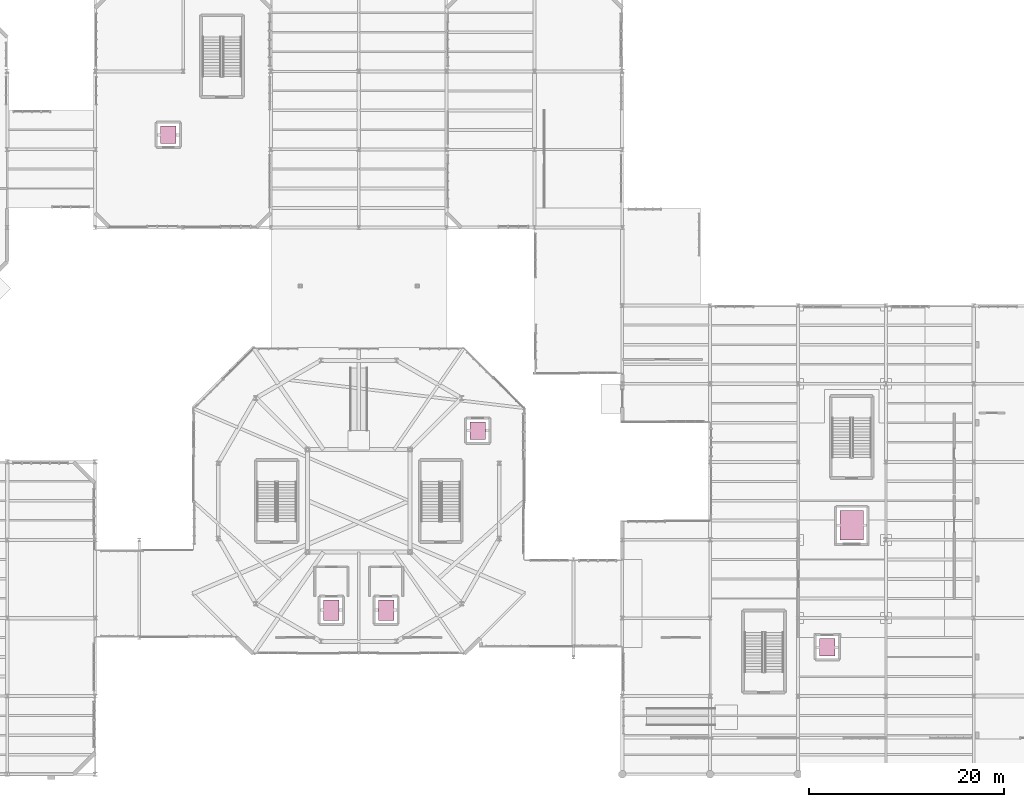
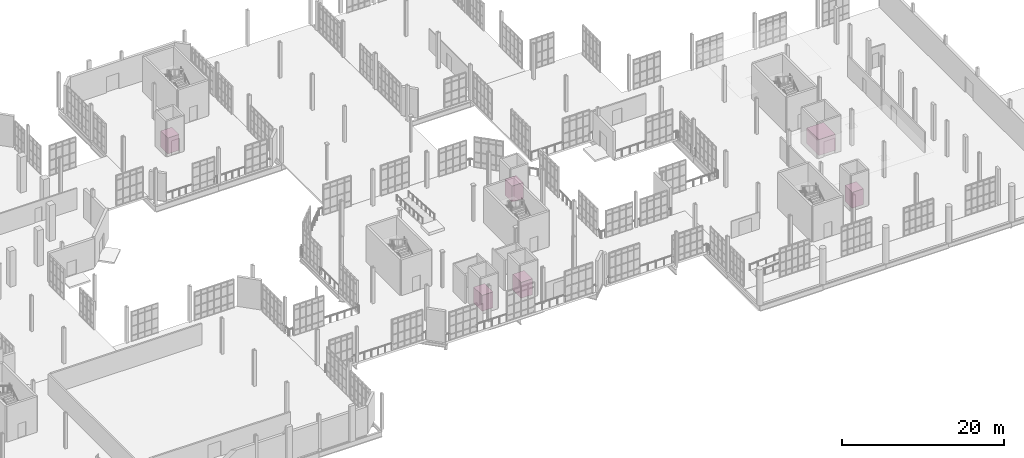
# One storey, part 189 of 189: 6 transport elements.
"""IFC4 building model written with IfcOpenShell, lengths in metres."""

from ifc_helpers import new_model, si_unit, direction, origin, place, context, subcontext, project, spatial, polyline, outline, extrude, material, type_object, element, save


model = new_model("IFC4")

# Units and contexts
model_context = context("Model", 3, precision=1e-05, world=origin(), true_north=direction((0.0, 1.0)))
body_context = subcontext(model_context, "Body", "Model", "MODEL_VIEW")
ifc_project = project(units=[si_unit("LENGTHUNIT", "METRE"), si_unit("AREAUNIT", "SQUARE_METRE"), si_unit("VOLUMEUNIT", "CUBIC_METRE"), si_unit("PLANEANGLEUNIT", "RADIAN"), si_unit("MASSUNIT", "GRAM", prefix="KILO"), si_unit("THERMODYNAMICTEMPERATUREUNIT", "KELVIN"), si_unit("POWERUNIT", "WATT")], contexts=[model_context])

# Site, building, storey
site_placement = place(None, origin())
site = spatial("IfcSite", under=ifc_project, at=site_placement, CompositionType="ELEMENT")
building_placement = place(site_placement, origin())
building = spatial("IfcBuilding", under=site, at=building_placement, Name="Zelmaris Science Centre", CompositionType="ELEMENT")
storey_placement = place(building_placement, origin())
storey = spatial("IfcBuildingStorey", under=building, at=storey_placement, Name="L00", CompositionType="ELEMENT", Elevation=0.0)

# Transport elements
ifc_material = material(Name="Steel ASTM A36", Category="steel")
transport_element_type_1 = type_object("IfcTransportElementType", Name="Elevator LF-FF 1600x2100", PredefinedType="ELEVATOR", material=ifc_material)
transport_element_1_placement = place(storey_placement, origin())
element("IfcTransportElement", 1, at=transport_element_1_placement, inside=storey, type_object=transport_element_type_1, Name="Firefighting Lift FL-01", PredefinedType="ELEVATOR", context=body_context, shape_type="SweptSolid", body=[
    extrude(outline(polyline([(77.39990234375, 23.75), (79.0, 23.75), (79.0, 25.85009765625), (77.39990234375, 25.85009765625), (77.39990234375, 23.75)])), origin(), (0.0, 0.0, 1.0), 2.39990234375),
])
transport_element_2_placement = place(storey_placement, origin())
element("IfcTransportElement", 2, at=transport_element_2_placement, inside=storey, type_object=transport_element_type_1, Name="Firefighting Lift FL-02", PredefinedType="ELEVATOR", context=body_context, shape_type="SweptSolid", body=[
    extrude(outline(polyline([(83.0, 23.75), (84.60009765625, 23.75), (84.60009765625, 25.85009765625), (83.0, 25.85009765625), (83.0, 23.75)])), origin(), (0.0, 0.0, 1.0), 2.39990234375),
])
transport_element_type_2 = type_object("IfcTransportElementType", Name="Elevator LF-GDS 2400x3000", PredefinedType="ELEVATOR", material=ifc_material)
transport_element_3_placement = place(storey_placement, origin())
element("IfcTransportElement", 3, at=transport_element_3_placement, inside=storey, type_object=transport_element_type_2, Name="Exhibit Freight Lift GL-01", PredefinedType="ELEVATOR", context=body_context, shape_type="SweptSolid", body=[
    extrude(outline(polyline([(130.300048828125, 32.0), (132.699951171875, 32.0), (132.699951171875, 35.0), (130.300048828125, 35.0), (130.300048828125, 32.0)])), origin(), (0.0, 0.0, 1.0), 2.39990234375),
])
transport_element_type_3 = type_object("IfcTransportElementType", Name="Elevator LF-PAX 1600x1800", PredefinedType="ELEVATOR", material=ifc_material)
transport_element_4_placement = place(storey_placement, origin())
element("IfcTransportElement", 4, at=transport_element_4_placement, inside=storey, type_object=transport_element_type_3, Name="Passenger Lift LP-01", PredefinedType="ELEVATOR", context=body_context, shape_type="SweptSolid", body=[
    extrude(outline(polyline([(92.39990234375, 42.300048828125), (94.0, 42.300048828125), (94.0, 44.10009765625), (92.39990234375, 44.10009765625), (92.39990234375, 42.300048828125)])), origin(), (0.0, 0.0, 1.0), 2.39990234375),
])
transport_element_5_placement = place(storey_placement, origin())
element("IfcTransportElement", 5, at=transport_element_5_placement, inside=storey, type_object=transport_element_type_3, Name="Passenger Lift LP-02", PredefinedType="ELEVATOR", context=body_context, shape_type="SweptSolid", body=[
    extrude(outline(polyline([(128.199951171875, 20.10009765625), (129.800048828125, 20.10009765625), (129.800048828125, 21.89990234375), (128.199951171875, 21.89990234375), (128.199951171875, 20.10009765625)])), origin(), (0.0, 0.0, 1.0), 2.39990234375),
])
transport_element_6_placement = place(storey_placement, origin())
element("IfcTransportElement", 6, at=transport_element_6_placement, inside=storey, type_object=transport_element_type_3, Name="Passenger Lift LP-03", PredefinedType="ELEVATOR", context=body_context, shape_type="SweptSolid", body=[
    extrude(outline(polyline([(60.699951171875, 72.60009765625), (62.300048828125, 72.60009765625), (62.300048828125, 74.39990234375), (60.699951171875, 74.39990234375), (60.699951171875, 72.60009765625)])), origin(), (0.0, 0.0, 1.0), 2.39990234375),
])

save(model, "model.ifc")
